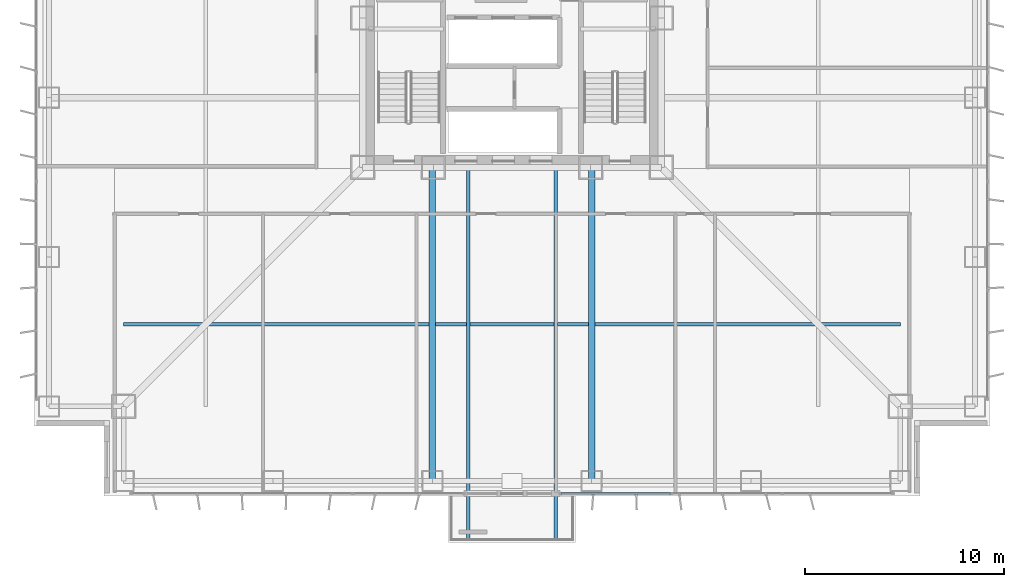
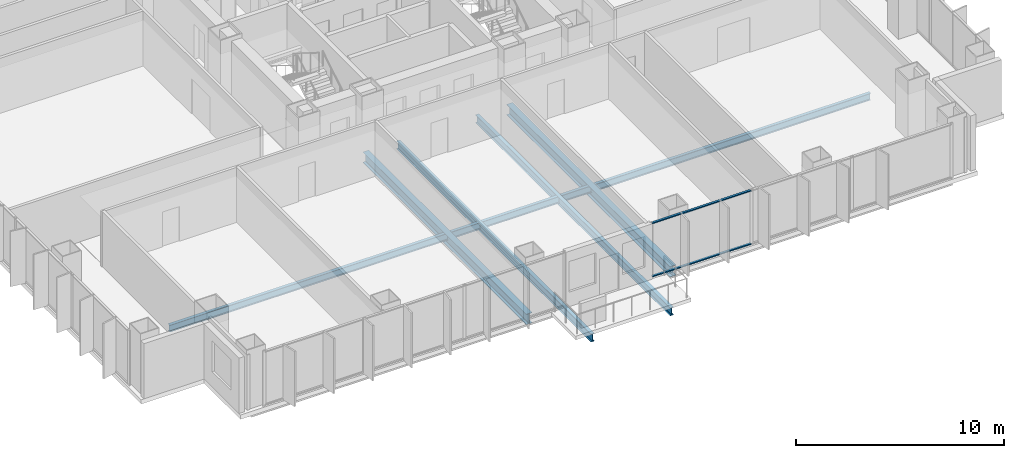
# One storey, part 3 of 21: 5 beams, 2 members, 1 element without a shape of its own.
"""IFC4 building model written with IfcOpenShell, lengths in metres."""

from ifc_helpers import new_model, si_unit, direction, frame, origin, origin_2d, place, context, subcontext, project, spatial, rectangle, i_section, extrude, material, layer, layer_set, material_profile, profile_set, type_object, element, aggregate, save


model = new_model("IFC4")

# Units and contexts
model_context = context("Model", 3, precision=1e-05, world=origin(), true_north=direction((0.0, 1.0)))
body_context = subcontext(model_context, "Body", "Model", "MODEL_VIEW")
ifc_project = project(units=[si_unit("LENGTHUNIT", "METRE"), si_unit("AREAUNIT", "SQUARE_METRE"), si_unit("VOLUMEUNIT", "CUBIC_METRE"), si_unit("PLANEANGLEUNIT", "RADIAN"), si_unit("MASSUNIT", "GRAM", prefix="KILO")], contexts=[model_context])

# Site, building, storey
site_placement = place(None, origin())
site = spatial("IfcSite", under=ifc_project, at=site_placement, CompositionType="ELEMENT")
building_placement = place(site_placement, origin())
building = spatial("IfcBuilding", under=site, at=building_placement, Name="Trevonay Congress Spire", CompositionType="ELEMENT")
storey_placement = place(building_placement, frame((0.0, 0.0, 37.5)))
storey = spatial("IfcBuildingStorey", under=building, at=storey_placement, Name="L08", CompositionType="ELEMENT", Elevation=37.5)

# Beams
ifc_material_1 = material(Name="Steel ASTM A572 Grade 50", Category="steel")
ifc_material_profile_1 = material_profile(ifc_material_1, i_section(OverallWidth=0.194091796875, OverallDepth=0.468994140625, WebThickness=0.011474609375, FlangeThickness=0.01953125, FilletRadius=0.013916015625, at=origin_2d()), Name="W460x106")
ifc_profile_set_1 = profile_set([ifc_material_profile_1], Name="Steel ASTM A572 Grade 50")
beam_type_1 = type_object("IfcBeamType", Name="BM-BAL-LOOKOUT", PredefinedType="BEAM", material=ifc_profile_set_1)
for number, where, z_axis, x_axis, name in (
    (1, (-2.199951171875, -7.5, -0.484619140625), (0.0, -1.0, 0.0), (1.0, 0.0, 0.0), "L08 structural beam LKT-L08-S1"),
    (2, (2.199951171875, -7.5, -0.484619140625), (0.0, -1.0, 0.0), (1.0, 0.0, 0.0), "L08 structural beam LKT-L08-S2"),
):
    element("IfcBeam", number, at=place(storey_placement, frame(where, z_axis=z_axis, x_axis=x_axis)), inside=storey, type_object=beam_type_1, Name=name, PredefinedType="BEAM", context=body_context, shape_type="SweptSolid", body=[
        extrude(i_section(OverallWidth=0.194091796875, OverallDepth=0.468994140625, WebThickness=0.011474609375, FlangeThickness=0.01953125, FilletRadius=0.013916015625, at=origin_2d()), origin(), (0.0, 0.0, 1.0), 18.75),
    ])
ifc_material_profile_2 = material_profile(ifc_material_1, i_section(OverallWidth=0.324951171875, OverallDepth=0.615966796875, WebThickness=0.013916015625, FlangeThickness=0.021484375, FilletRadius=0.01806640625, at=origin_2d()), Name="W610x174")
ifc_profile_set_2 = profile_set([ifc_material_profile_2], Name="Steel ASTM A572 Grade 50")
beam_type_2 = type_object("IfcBeamType", Name="BM-GIRD-W610X174", PredefinedType="BEAM", material=ifc_profile_set_2)
for number, where, z_axis, x_axis, name in (
    (3, (-4.0, -7.5, -0.55810546875), (0.0, -1.0, 0.0), (1.0, 0.0, 0.0), "L08 structural beam BM-L08-GS-M"),
    (4, (4.0, -7.5, -0.55810546875), (0.0, -1.0, 0.0), (1.0, 0.0, 0.0), "L08 structural beam BM-L08-GS-P"),
):
    element("IfcBeam", number, at=place(storey_placement, frame(where, z_axis=z_axis, x_axis=x_axis)), inside=storey, type_object=beam_type_2, Name=name, PredefinedType="BEAM", context=body_context, shape_type="SweptSolid", body=[
        extrude(i_section(OverallWidth=0.324951171875, OverallDepth=0.615966796875, WebThickness=0.013916015625, FlangeThickness=0.021484375, FilletRadius=0.01806640625, at=origin_2d()), origin(), (0.0, 0.0, 1.0), 15.75),
    ])

# Curtain wall, members
ifc_material_2 = material(Name="Pale Anodised Aluminium EN AW-6063-T6", Category="aluminium")
ifc_layer = layer(ifc_material_2, 0.179931640625, Name="Pale Anodised Aluminium EN AW-6063-T6")
ifc_layer_set = layer_set([ifc_layer], Name="Pale Anodised Aluminium EN AW-6063-T6")
curtain_wall_type = type_object("IfcCurtainWallType", Name="CW-SYS02-HOTEL-PALE-METAL", PredefinedType="NOTDEFINED", material=ifc_layer_set)
curtain_wall_placement = place(storey_placement, origin())
curtain_wall = element("IfcCurtainWall", 5, at=curtain_wall_placement, inside=storey, type_object=curtain_wall_type, Name="L08 SB unitised curtain wall", PredefinedType="NOTDEFINED")
ifc_material_profile_3 = material_profile(ifc_material_2, rectangle(XDim=0.1201171875, YDim=0.06005859375, at=origin_2d()), Name="CW-TRANSOM-120-ALUMINIUM")
ifc_profile_set_3 = profile_set([ifc_material_profile_3], Name="Pale Anodised Aluminium EN AW-6063-T6")
member_type = type_object("IfcMemberType", Name="CW-TRANSOM-120-ALUMINIUM", PredefinedType="USERDEFINED", material=ifc_profile_set_3)
member_1_placement = place(storey_placement, frame((2.4599609375, -23.8798828125, 0.06005859375), z_axis=(1.0, 0.0, 0.0), x_axis=(0.0, 1.0, 0.0)))
member_1 = element("IfcMember", 6, at=member_1_placement, type_object=member_type, Name="CW02 transom 1.1", ObjectType="TRANSOM", PredefinedType="USERDEFINED", context=body_context, shape_type="SweptSolid", body=[
    extrude(rectangle(XDim=0.1201171875, YDim=0.06005859375, at=origin_2d()), origin(), (0.0, 0.0, 1.0), 5.493408203125),
])
member_2_placement = place(storey_placement, frame((2.4599609375, -23.8798828125, 3.18994140625), z_axis=(1.0, 0.0, 0.0), x_axis=(0.0, 1.0, 0.0)))
member_2 = element("IfcMember", 7, at=member_2_placement, type_object=member_type, Name="CW02 transom 1.2", ObjectType="TRANSOM", PredefinedType="USERDEFINED", context=body_context, shape_type="SweptSolid", body=[
    extrude(rectangle(XDim=0.1201171875, YDim=0.06005859375, at=origin_2d()), origin(), (0.0, 0.0, 1.0), 5.493408203125),
])
aggregate(curtain_wall, [member_1, member_2])

# Beam
ifc_material_profile_4 = material_profile(ifc_material_1, i_section(OverallWidth=0.177978515625, OverallDepth=0.406982421875, WebThickness=0.0078125, FlangeThickness=0.0126953125, FilletRadius=0.012939453125, at=origin_2d()), Name="W410x60")
ifc_profile_set_4 = profile_set([ifc_material_profile_4], Name="Steel ASTM A572 Grade 50")
beam_type_3 = type_object("IfcBeamType", Name="JS-COMP-W410X60", PredefinedType="JOIST", material=ifc_profile_set_4)
beam_placement = place(storey_placement, frame((-19.5, -15.375, -0.45361328125), z_axis=(1.0, 0.0, 0.0), x_axis=(0.0, 1.0, 0.0)))
element("IfcBeam", 8, at=beam_placement, inside=storey, type_object=beam_type_3, Name="L08 structural beam JS-L08-RING-S", PredefinedType="JOIST", context=body_context, shape_type="SweptSolid", body=[
    extrude(i_section(OverallWidth=0.177978515625, OverallDepth=0.406982421875, WebThickness=0.0078125, FlangeThickness=0.0126953125, FilletRadius=0.012939453125, at=origin_2d()), origin(), (0.0, 0.0, 1.0), 39.0),
])

save(model, "model.ifc")
